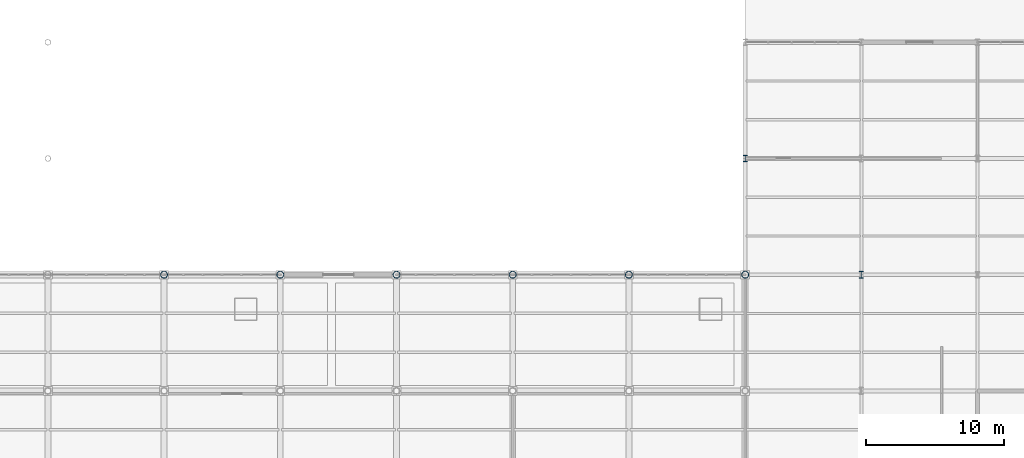
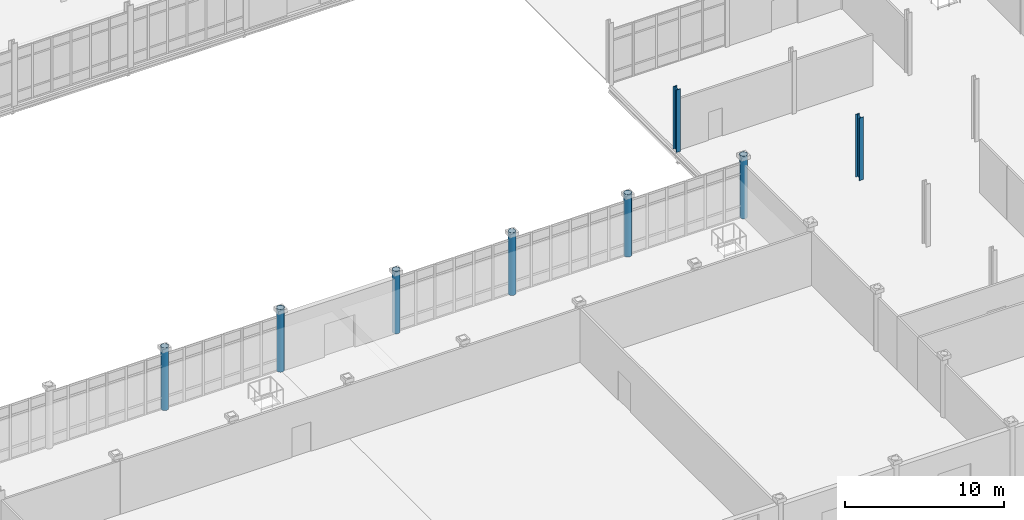
# One storey, part 9 of 145: 8 columns.
"""IFC4 building model written with IfcOpenShell, lengths in metres."""

from ifc_helpers import new_model, si_unit, direction, frame, origin, origin_2d, place, context, subcontext, project, spatial, hollow_circle, i_section, extrude, material, material_profile, profile_set, type_object, element, save


model = new_model("IFC4")

# Units and contexts
model_context = context("Model", 3, precision=1e-05, world=origin(), true_north=direction((0.0, 1.0)))
body_context = subcontext(model_context, "Body", "Model", "MODEL_VIEW")
ifc_project = project(units=[si_unit("LENGTHUNIT", "METRE"), si_unit("AREAUNIT", "SQUARE_METRE"), si_unit("VOLUMEUNIT", "CUBIC_METRE"), si_unit("PLANEANGLEUNIT", "RADIAN"), si_unit("MASSUNIT", "GRAM", prefix="KILO")], contexts=[model_context])

# Site, building, storey
site_placement = place(None, origin())
site = spatial("IfcSite", under=ifc_project, at=site_placement, CompositionType="ELEMENT")
building_placement = place(site_placement, origin())
building = spatial("IfcBuilding", under=site, at=building_placement, Name="Qalvenar Corner Mobility Hub", CompositionType="ELEMENT")
storey_placement = place(building_placement, origin())
storey = spatial("IfcBuildingStorey", under=building, at=storey_placement, Name="L00", CompositionType="ELEMENT", Elevation=0.0)

# Columns
ifc_material = material(Name="Steel S355", Category="steel")
ifc_material_profile_1 = material_profile(ifc_material, hollow_circle(Radius=0.25390625, WallThickness=0.01611328125, at=origin_2d()), Name="CHS508x16")
ifc_profile_set_1 = profile_set([ifc_material_profile_1], Name="Steel S355")
column_type_1 = type_object("IfcColumnType", Name="COL-CHS508", PredefinedType="COLUMN", material=ifc_profile_set_1)
for number, where, z_axis, x_axis, name in (
    (1, (67.199951171875, 33.60009765625, 0.0), (0.0, 0.0, 1.0), (1.0, 0.0, 0.0), "Steel Column L00-G9-4"),
    (2, (75.60009765625, 33.60009765625, 0.0), (0.0, 0.0, 1.0), (1.0, 0.0, 0.0), "Steel Column L00-G10-4"),
    (3, (84.0, 33.60009765625, 0.0), (0.0, 0.0, 1.0), (1.0, 0.0, 0.0), "Steel Column L00-G11-4"),
    (4, (92.39990234375, 33.60009765625, 0.0), (0.0, 0.0, 1.0), (1.0, 0.0, 0.0), "Steel Column L00-G12-4"),
    (5, (100.800048828125, 33.60009765625, 0.0), (0.0, 0.0, 1.0), (1.0, 0.0, 0.0), "Steel Column L00-G13-4"),
    (6, (109.199951171875, 33.60009765625, 0.0), (0.0, 0.0, 1.0), (1.0, 0.0, 0.0), "Steel Column L00-G14-4"),
):
    element("IfcColumn", number, at=place(storey_placement, frame(where, z_axis=z_axis, x_axis=x_axis)), inside=storey, type_object=column_type_1, Name=name, PredefinedType="COLUMN", context=body_context, shape_type="SweptSolid", body=[
        extrude(hollow_circle(Radius=0.25390625, WallThickness=0.01611328125, at=origin_2d()), origin(), (0.0, 0.0, 1.0), 4.800048828125),
    ])
ifc_material_profile_2 = material_profile(ifc_material, i_section(OverallWidth=0.300048828125, OverallDepth=0.449951171875, WebThickness=0.013916015625, FlangeThickness=0.02587890625, FilletRadius=0.027099609375, at=origin_2d()), Name="HEB450")
ifc_profile_set_2 = profile_set([ifc_material_profile_2], Name="Steel S355")
column_type_2 = type_object("IfcColumnType", Name="COL-HEB450", PredefinedType="COLUMN", material=ifc_profile_set_2)
column_1_placement = place(storey_placement, frame((109.199951171875, 42.0, 0.0), z_axis=(0.0, 0.0, 1.0), x_axis=(1.0, 0.0, 0.0)))
element("IfcColumn", 7, at=column_1_placement, inside=storey, type_object=column_type_2, Name="Steel Column L00-G14-5", PredefinedType="COLUMN", context=body_context, shape_type="SweptSolid", body=[
    extrude(i_section(OverallWidth=0.300048828125, OverallDepth=0.449951171875, WebThickness=0.013916015625, FlangeThickness=0.02587890625, FilletRadius=0.027099609375, at=origin_2d()), origin(), (0.0, 0.0, 1.0), 4.800048828125),
])
ifc_material_profile_3 = material_profile(ifc_material, i_section(OverallWidth=0.300048828125, OverallDepth=0.5, WebThickness=0.014404296875, FlangeThickness=0.028076171875, FilletRadius=0.027099609375, at=origin_2d()), Name="HEB500")
ifc_profile_set_3 = profile_set([ifc_material_profile_3], Name="Steel S355")
column_type_3 = type_object("IfcColumnType", Name="COL-HEB500", PredefinedType="COLUMN", material=ifc_profile_set_3)
column_2_placement = place(storey_placement, frame((117.60009765625, 33.60009765625, 0.0), z_axis=(0.0, 0.0, 1.0), x_axis=(1.0, 0.0, 0.0)))
element("IfcColumn", 8, at=column_2_placement, inside=storey, type_object=column_type_3, Name="Steel Column L00-G15-4", PredefinedType="COLUMN", context=body_context, shape_type="SweptSolid", body=[
    extrude(i_section(OverallWidth=0.300048828125, OverallDepth=0.5, WebThickness=0.014404296875, FlangeThickness=0.028076171875, FilletRadius=0.027099609375, at=origin_2d()), origin(), (0.0, 0.0, 1.0), 4.800048828125),
])

save(model, "model.ifc")
